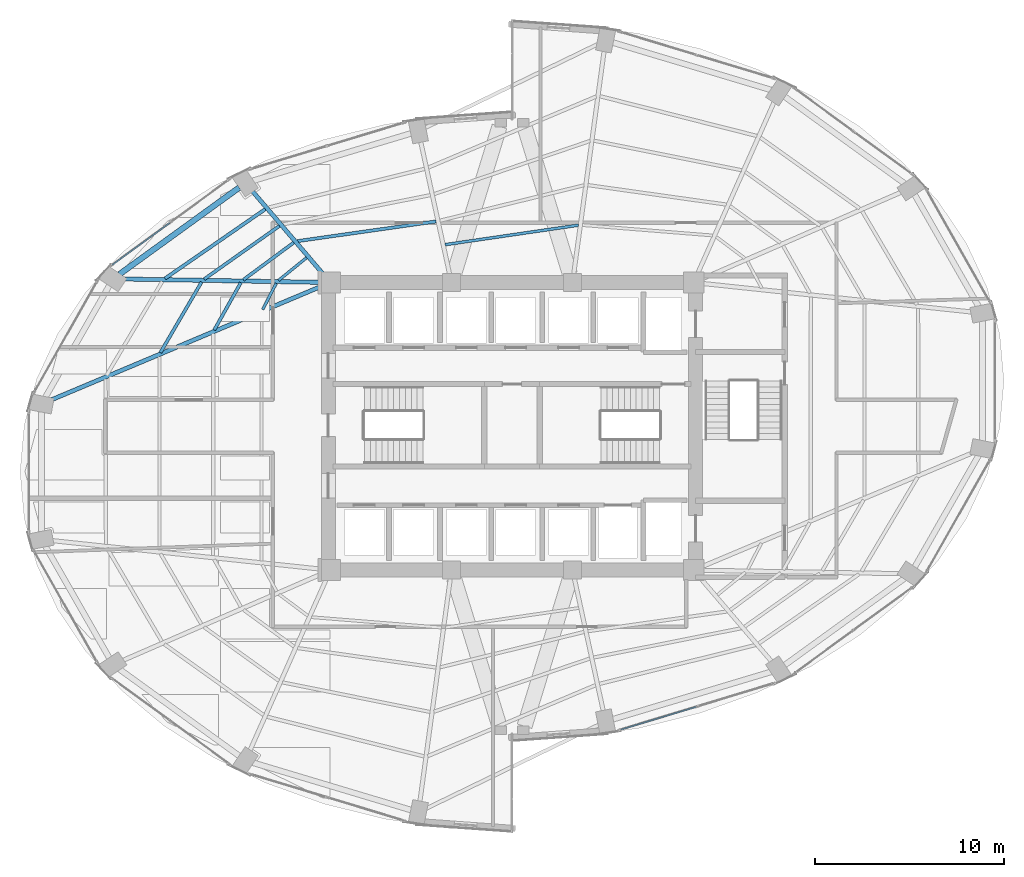
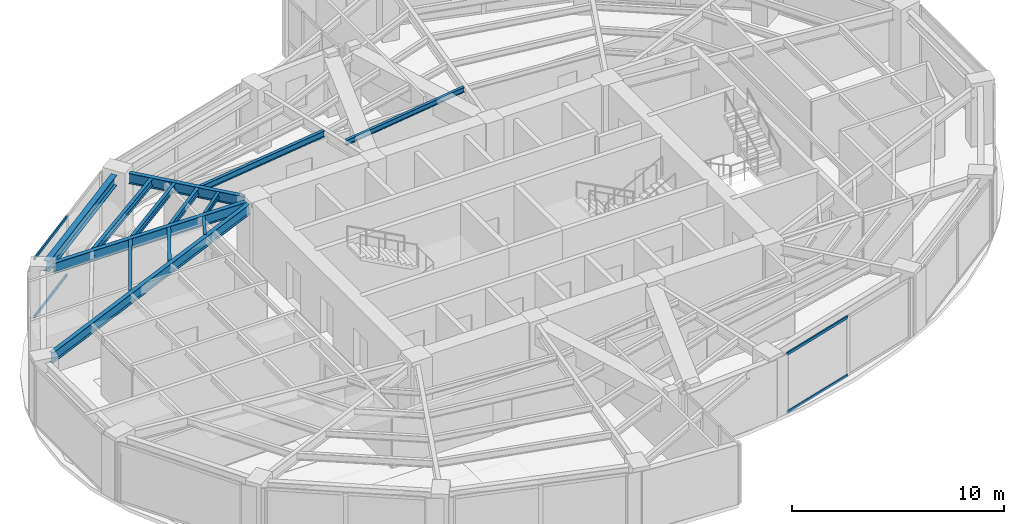
# One storey, part 9 of 24: 13 beams, 4 members, 2 elements without a shape of their own.
"""IFC4 building model written with IfcOpenShell, lengths in metres."""

import ifcopenshell
import ifcopenshell.guid

model = None  # the IFC model being written
_history = None  # IfcOwnerHistory: only IFC2X3 demands one
_inside = {}  # id of a spatial element -> (the spatial element, [elements in it])
_under = {}  # id of a project, library or spatial element -> (it, [spatial elements below it])
_declared = {}  # id of a project -> (the project, [libraries it declares])
_typed = {}  # id of a type object -> (the type object, [elements of that type])
_made_of = {}  # id of a material, layer set ... -> (it, [elements and type objects made of it])


def new_model(schema):
    """Start an empty IFC model of exactly this schema.

    Asked for "IFC4X3", IfcOpenShell would pick the latest addendum, in which some entities
    have other attributes; the version numbers below select the first issue.
    IFC2X3 requires an IfcOwnerHistory on every rooted entity: one is made here for all.
    """
    global model, _history
    if schema == "IFC4X3":
        model = ifcopenshell.file(schema_version=(4, 3, 0, 0))
    else:
        model = ifcopenshell.file(schema=schema)
    _inside.clear()
    _under.clear()
    _declared.clear()
    _typed.clear()
    _made_of.clear()
    _history = None
    if model.schema == "IFC2X3":
        org = make("IfcOrganization", Name="unknown")
        user = make(
            "IfcPersonAndOrganization",
            ThePerson=make("IfcPerson", FamilyName="unknown"),
            TheOrganization=org,
        )
        app = make(
            "IfcApplication",
            ApplicationDeveloper=org,
            Version="unknown",
            ApplicationFullName="unknown",
            ApplicationIdentifier="unknown",
        )
        _history = make(
            "IfcOwnerHistory",
            OwningUser=user,
            OwningApplication=app,
            ChangeAction="ADDED",
            CreationDate=0,
        )
    return model


def make(cls, **values):
    """One entity of the class cls with the attributes given. An attribute that is None is left unset."""
    return model.create_entity(
        cls, **{name: value for name, value in values.items() if value is not None}
    )


def rooted(cls, **values):
    """An entity with a GlobalId (a new one), such as an element, a storey or a relation."""
    return make(cls, GlobalId=ifcopenshell.guid.new(), OwnerHistory=_history, **values)


def si_unit(unit_type, name, prefix=None):
    """IfcSIUnit, for example si_unit("LENGTHUNIT", "METRE", prefix="MILLI")."""
    return make("IfcSIUnit", UnitType=unit_type, Prefix=prefix, Name=name)


def assignment(units):
    """IfcUnitAssignment: the units of a project."""
    return None if units is None else make("IfcUnitAssignment", Units=units)


def point(xyz):
    """IfcCartesianPoint."""
    return None if xyz is None else make("IfcCartesianPoint", Coordinates=xyz)


def direction(xyz):
    """IfcDirection."""
    return None if xyz is None else make("IfcDirection", DirectionRatios=xyz)


def frame(location, z_axis=None, x_axis=None):
    """IfcAxis2Placement3D, a coordinate frame: its origin and axes. An axis left out is left unset."""
    return make(
        "IfcAxis2Placement3D",
        Location=point(location),
        Axis=direction(z_axis),
        RefDirection=direction(x_axis),
    )


def frame_2d(location, x_axis=None):
    """IfcAxis2Placement2D, a coordinate frame in the plane: its origin and x axis."""
    return make(
        "IfcAxis2Placement2D", Location=point(location), RefDirection=direction(x_axis)
    )


def origin():
    """The frame at (0, 0, 0) with its axes left unset."""
    return frame((0.0, 0.0, 0.0))


def origin_2d():
    """The frame at (0, 0) in the plane with its x axis left unset."""
    return frame_2d((0.0, 0.0))


def place(relative_to, where):
    """IfcLocalPlacement: puts the frame where relative to a parent placement (None: the world)."""
    return make(
        "IfcLocalPlacement", PlacementRelTo=relative_to, RelativePlacement=where
    )


def context(
    kind, dimensions, precision=None, world=None, true_north=None, identifier=None
):
    """IfcGeometricRepresentationContext, for example the 3D "Model" context."""
    return make(
        "IfcGeometricRepresentationContext",
        ContextIdentifier=identifier,
        ContextType=kind,
        CoordinateSpaceDimension=dimensions,
        Precision=precision,
        WorldCoordinateSystem=world,
        TrueNorth=true_north,
    )


def subcontext(parent, identifier, kind, view, scale=None):
    """IfcGeometricRepresentationSubContext, for example "Body" below "Model"."""
    return make(
        "IfcGeometricRepresentationSubContext",
        ContextIdentifier=identifier,
        ContextType=kind,
        ParentContext=parent,
        TargetScale=scale,
        TargetView=view,
    )


def project(units=None, contexts=None):
    """IfcProject with its units and contexts."""
    return rooted(
        "IfcProject",
        Name="project",
        RepresentationContexts=contexts,
        UnitsInContext=assignment(units),
    )


def spatial(cls, under=None, at=None, **own):
    """A site, building, storey or space (cls), placed at a placement, below another one or the project."""
    s = rooted(cls, ObjectPlacement=at, **own)
    if under is not None:
        _under.setdefault(under.id(), (under, []))[1].append(s)
    return s


def profile(cls, at=None, kind="AREA", **sizes):
    """A parametric profile (cls). Its sizes go by their IFC names, for example OverallWidth=200.0."""
    return make(cls, ProfileType=kind, Position=at, **sizes)


def hollow_rectangle(**sizes):
    """IfcRectangleHollowProfileDef."""
    return profile("IfcRectangleHollowProfileDef", **sizes)


def i_section(**sizes):
    """IfcIShapeProfileDef."""
    return profile("IfcIShapeProfileDef", **sizes)


def extrude(swept, where, along, depth):
    """IfcExtrudedAreaSolid: the profile swept, set in the frame where, extruded along a direction by depth."""
    return make(
        "IfcExtrudedAreaSolid",
        SweptArea=swept,
        Position=where,
        ExtrudedDirection=direction(along),
        Depth=depth,
    )


def shape(context_of_items, identifier, shape_type, items):
    """IfcShapeRepresentation: the items that make up one representation, for example the "Body"."""
    return make(
        "IfcShapeRepresentation",
        ContextOfItems=context_of_items,
        RepresentationIdentifier=identifier,
        RepresentationType=shape_type,
        Items=items,
    )


def material(Name=None, Category=None):
    """IfcMaterial."""
    return make("IfcMaterial", Name=Name, Category=Category)


def layer(
    of_material, thickness, ventilated=None, Name=None, Category=None, Priority=None
):
    """IfcMaterialLayer: one layer of a wall or slab, of a material (None: an air gap)."""
    return make(
        "IfcMaterialLayer",
        Material=of_material,
        LayerThickness=thickness,
        IsVentilated=ventilated,
        Name=Name,
        Category=Category,
        Priority=Priority,
    )


def layer_set(layers, Name=None):
    """IfcMaterialLayerSet."""
    return make("IfcMaterialLayerSet", MaterialLayers=layers, LayerSetName=Name)


def material_profile(
    of_material, cross_section, Name=None, Category=None, Priority=None
):
    """IfcMaterialProfile: a cross section and its material."""
    return make(
        "IfcMaterialProfile",
        Name=Name,
        Material=of_material,
        Profile=cross_section,
        Priority=Priority,
        Category=Category,
    )


def profile_set(profiles, Name=None, composite=None):
    """IfcMaterialProfileSet."""
    return make(
        "IfcMaterialProfileSet",
        Name=Name,
        MaterialProfiles=profiles,
        CompositeProfile=composite,
    )


def made_of(thing, what):
    """Note that an element or type object is made of a material, layer set ...; save() writes the relation."""
    if what is not None:
        _made_of.setdefault(what.id(), (what, []))[1].append(thing)
    return thing


def type_object(cls, material=None, **own):
    """A type object (cls), such as IfcWallType, which elements share."""
    return made_of(rooted(cls, **own), material)


def element(
    cls,
    number,
    at=None,
    inside=None,
    cuts=None,
    type_object=None,
    material=None,
    context=None,
    identifier="Body",
    shape_type=None,
    held_by="IfcProductDefinitionShape",
    body=None,
    shapes=None,
    **own,
):
    """One element of the class cls, such as IfcWall. Its Tag is "e" and its number.

    at: its placement. inside: the storey or other place that contains it. cuts: it is an
    opening in that element (IfcRelVoidsElement). A single representation is given by context,
    identifier, shape_type and body (its items); several are given by shapes. held_by: the class
    of the entity that holds the representations. save() writes the other relations.
    """
    e = rooted(cls, Tag="e%d" % number, ObjectPlacement=at, **own)
    if body is not None:
        shapes = [shape(context, identifier, shape_type, body)]
    if shapes is not None:
        e.Representation = make(held_by, Representations=shapes)
    if inside is not None:
        _inside.setdefault(inside.id(), (inside, []))[1].append(e)
    if cuts is not None:
        rooted(
            "IfcRelVoidsElement", RelatingBuildingElement=cuts, RelatedOpeningElement=e
        )
    if type_object is not None:
        _typed.setdefault(type_object.id(), (type_object, []))[1].append(e)
    return made_of(e, material)


def aggregate(whole, parts):
    """IfcRelAggregates: a whole, such as a stair, and the parts it consists of."""
    return rooted("IfcRelAggregates", RelatingObject=whole, RelatedObjects=parts)


def save(model, path):
    """Write the relations noted so far, then the file.

    IfcRelAggregates (storeys below a building ...), IfcRelContainedInSpatialStructure (elements
    in a storey), IfcRelDefinesByType, IfcRelAssociatesMaterial and IfcRelDeclares: one each for
    every whole, place, type object, material and project.
    """
    for whole, parts in _under.values():
        aggregate(whole, parts)
    for where, things in _inside.values():
        rooted(
            "IfcRelContainedInSpatialStructure",
            RelatedElements=things,
            RelatingStructure=where,
        )
    for kind, things in _typed.values():
        rooted("IfcRelDefinesByType", RelatedObjects=things, RelatingType=kind)
    for what, things in _made_of.values():
        rooted("IfcRelAssociatesMaterial", RelatedObjects=things, RelatingMaterial=what)
    for by, libraries in _declared.values():
        rooted("IfcRelDeclares", RelatingContext=by, RelatedDefinitions=libraries)
    model.write(path)


model = new_model("IFC4")

# Units and contexts
model_context = context("Model", 3, precision=1e-05, world=origin(), true_north=direction((0.0, 1.0)))
body_context = subcontext(model_context, "Body", "Model", "MODEL_VIEW")
ifc_project = project(units=[si_unit("LENGTHUNIT", "METRE"), si_unit("AREAUNIT", "SQUARE_METRE"), si_unit("VOLUMEUNIT", "CUBIC_METRE"), si_unit("PLANEANGLEUNIT", "RADIAN"), si_unit("MASSUNIT", "GRAM", prefix="KILO")], contexts=[model_context])

# Site, building, storey
site_placement = place(None, origin())
site = spatial("IfcSite", under=ifc_project, at=site_placement, CompositionType="ELEMENT")
building_placement = place(site_placement, origin())
building = spatial("IfcBuilding", under=site, at=building_placement, Name="Lazwardi Medical Tower", CompositionType="ELEMENT")
storey_placement = place(building_placement, frame((0.0, 0.0, 99.98388671875)))
storey = spatial("IfcBuildingStorey", under=building, at=storey_placement, Name="L25", CompositionType="ELEMENT", Elevation=99.98388671875)

# Beams
ifc_material_1 = material(Name="Steel S355", Category="steel")
ifc_material_profile_1 = material_profile(ifc_material_1, i_section(OverallWidth=0.300048828125, OverallDepth=0.60009765625, WebThickness=0.015380859375, FlangeThickness=0.030029296875, at=origin_2d()), Name="HEB 600")
ifc_profile_set_1 = profile_set([ifc_material_profile_1], Name="Steel S355")
beam_type_1 = type_object("IfcBeamType", Name="BM-RB-Z2", PredefinedType="BEAM", material=ifc_profile_set_1)
beam_1_placement = place(storey_placement, frame((21.584228515625, 40.6171875, 3.128173828125), z_axis=(-0.810041907649, -0.586371987609, 0.0), x_axis=(0.586371987609, -0.810041907649, 0.0)))
element("IfcBeam", 1, at=beam_1_placement, inside=storey, type_object=beam_type_1, Name="Ring beam RB-03 B10 L25", PredefinedType="BEAM", context=body_context, shape_type="SweptSolid", body=[
    extrude(i_section(OverallWidth=0.300048828125, OverallDepth=0.60009765625, WebThickness=0.015380859375, FlangeThickness=0.030029296875, at=origin_2d()), origin(), (0.0, 0.0, 1.0), 7.814208984375),
])
ifc_material_profile_2 = material_profile(ifc_material_1, i_section(OverallWidth=0.219970703125, OverallDepth=0.60009765625, WebThickness=0.011962890625, FlangeThickness=0.01904296875, at=origin_2d()), Name="IPE 600")
ifc_profile_set_2 = profile_set([ifc_material_profile_2], Name="Steel S355")
beam_type_2 = type_object("IfcBeamType", Name="BM-RG-W1", PredefinedType="BEAM", material=ifc_profile_set_2)
beam_2_placement = place(storey_placement, frame((22.292724609375, 40.416259765625, 3.128173828125), z_axis=(0.648870567436, -0.760898801889, 0.0), x_axis=(0.760898801889, 0.648870567436, 0.0)))
element("IfcBeam", 2, at=beam_2_placement, inside=storey, type_object=beam_type_2, Name="Radial girder RG-02 R10 L25", PredefinedType="BEAM", context=body_context, shape_type="SweptSolid", body=[
    extrude(i_section(OverallWidth=0.219970703125, OverallDepth=0.60009765625, WebThickness=0.011962890625, FlangeThickness=0.01904296875, at=origin_2d()), origin(), (0.0, 0.0, 1.0), 5.794677734375),
])
beam_3_placement = place(storey_placement, frame((15.502197265625, 35.784912109375, 3.128173828125), z_axis=(0.99985616395, -0.016960289263, 0.0), x_axis=(0.016960289263, 0.99985616395, 0.0)))
element("IfcBeam", 3, at=beam_3_placement, inside=storey, type_object=beam_type_2, Name="Radial girder RG-02 R11 L25", PredefinedType="BEAM", context=body_context, shape_type="SweptSolid", body=[
    extrude(i_section(OverallWidth=0.219970703125, OverallDepth=0.60009765625, WebThickness=0.011962890625, FlangeThickness=0.01904296875, at=origin_2d()), origin(), (0.0, 0.0, 1.0), 10.3642578125),
])
beam_4_placement = place(storey_placement, frame((11.671630859375, 29.40478515625, 3.128173828125), z_axis=(0.921775176005, 0.38772480563, 0.0), x_axis=(-0.38772480563, 0.921775176005, 0.0)))
element("IfcBeam", 4, at=beam_4_placement, inside=storey, type_object=beam_type_2, Name="Radial girder RG-02 R12 L25", PredefinedType="BEAM", context=body_context, shape_type="SweptSolid", body=[
    extrude(i_section(OverallWidth=0.219970703125, OverallDepth=0.60009765625, WebThickness=0.011962890625, FlangeThickness=0.01904296875, at=origin_2d()), origin(), (0.0, 0.0, 1.0), 15.443359375),
])
ifc_material_profile_3 = material_profile(ifc_material_1, i_section(OverallWidth=0.179931640625, OverallDepth=0.39990234375, WebThickness=0.008544921875, FlangeThickness=0.013427734375, at=origin_2d()), Name="IPE 400")
ifc_profile_set_3 = profile_set([ifc_material_profile_3], Name="Steel S355")
beam_type_3 = type_object("IfcBeamType", Name="BM-SJ-01", PredefinedType="JOIST", material=ifc_profile_set_3)
beam_5_placement = place(storey_placement, frame((22.95849609375, 39.474609375, 3.22802734375), z_axis=(-0.822376339068, -0.568943896128, 0.0), x_axis=(0.568943896128, -0.822376339068, 0.0)))
element("IfcBeam", 5, at=beam_5_placement, inside=storey, type_object=beam_type_3, Name="Secondary joist SJ-01 R1 B10 L25", PredefinedType="JOIST", context=body_context, shape_type="SweptSolid", body=[
    extrude(i_section(OverallWidth=0.179931640625, OverallDepth=0.39990234375, WebThickness=0.008544921875, FlangeThickness=0.013427734375, at=origin_2d()), origin(), (0.0, 0.0, 1.0), 6.44189453125),
])
ifc_material_profile_4 = material_profile(ifc_material_1, i_section(OverallWidth=0.169921875, OverallDepth=0.360107421875, WebThickness=0.008056640625, FlangeThickness=0.0126953125, at=origin_2d()), Name="IPE 360")
ifc_profile_set_4 = profile_set([ifc_material_profile_4], Name="Steel S355")
beam_type_4 = type_object("IfcBeamType", Name="BM-SJ-02", PredefinedType="JOIST", material=ifc_profile_set_4)
beam_6_placement = place(storey_placement, frame((23.7109375, 38.591796875, 3.248046875), z_axis=(-0.816156371539, -0.577831097464, 0.0), x_axis=(0.577831097464, -0.816156371539, 0.0)))
element("IfcBeam", 6, at=beam_6_placement, inside=storey, type_object=beam_type_4, Name="Secondary joist SJ-02 R2 B10 L25", PredefinedType="JOIST", context=body_context, shape_type="SweptSolid", body=[
    extrude(i_section(OverallWidth=0.169921875, OverallDepth=0.360107421875, WebThickness=0.008056640625, FlangeThickness=0.0126953125, at=origin_2d()), origin(), (0.0, 0.0, 1.0), 4.8740234375),
])
beam_7_placement = place(storey_placement, frame((19.594482421875, 35.623779296875, 3.248046875), z_axis=(-0.503544274258, -0.86396942299, 0.0), x_axis=(0.86396942299, -0.503544274258, 0.0)))
element("IfcBeam", 7, at=beam_7_placement, inside=storey, type_object=beam_type_4, Name="Secondary joist SJ-02 R2 B11 L25", PredefinedType="JOIST", context=body_context, shape_type="SweptSolid", body=[
    extrude(i_section(OverallWidth=0.169921875, OverallDepth=0.360107421875, WebThickness=0.008056640625, FlangeThickness=0.0126953125, at=origin_2d()), origin(), (0.0, 0.0, 1.0), 4.321044921875),
])
beam_8_placement = place(storey_placement, frame((31.988525390625, 38.8271484375, 3.248046875), z_axis=(-0.990067108571, -0.140595592128, 0.0), x_axis=(0.140595592128, -0.990067108571, 0.0)))
element("IfcBeam", 8, at=beam_8_placement, inside=storey, type_object=beam_type_4, Name="Secondary joist SJ-02 R3 B09 L25", PredefinedType="JOIST", context=body_context, shape_type="SweptSolid", body=[
    extrude(i_section(OverallWidth=0.169921875, OverallDepth=0.360107421875, WebThickness=0.008056640625, FlangeThickness=0.0126953125, at=origin_2d()), origin(), (0.0, 0.0, 1.0), 7.409423828125),
])
beam_9_placement = place(storey_placement, frame((24.46435546875, 37.708251953125, 3.248046875), z_axis=(-0.804125525058, -0.594459536008, 0.0), x_axis=(0.594459536008, -0.804125525058, 0.0)))
element("IfcBeam", 9, at=beam_9_placement, inside=storey, type_object=beam_type_4, Name="Secondary joist SJ-02 R3 B10 L25", PredefinedType="JOIST", context=body_context, shape_type="SweptSolid", body=[
    extrude(i_section(OverallWidth=0.169921875, OverallDepth=0.360107421875, WebThickness=0.008056640625, FlangeThickness=0.0126953125, at=origin_2d()), origin(), (0.0, 0.0, 1.0), 3.30810546875),
])
beam_10_placement = place(storey_placement, frame((21.66845703125, 35.587890625, 3.248046875), z_axis=(-0.489860824278, -0.871800649711, 0.0), x_axis=(0.871800649711, -0.489860824278, 0.0)))
element("IfcBeam", 10, at=beam_10_placement, inside=storey, type_object=beam_type_4, Name="Secondary joist SJ-02 R3 B11 L25", PredefinedType="JOIST", context=body_context, shape_type="SweptSolid", body=[
    extrude(i_section(OverallWidth=0.169921875, OverallDepth=0.360107421875, WebThickness=0.008056640625, FlangeThickness=0.0126953125, at=origin_2d()), origin(), (0.0, 0.0, 1.0), 2.8662109375),
])
ifc_material_profile_5 = material_profile(ifc_material_1, i_section(OverallWidth=0.14990234375, OverallDepth=0.300048828125, WebThickness=0.007080078125, FlangeThickness=0.0107421875, at=origin_2d()), Name="IPE 300")
ifc_profile_set_5 = profile_set([ifc_material_profile_5], Name="Steel S355")
beam_type_5 = type_object("IfcBeamType", Name="BM-SJ-03", PredefinedType="JOIST", material=ifc_profile_set_5)
beam_11_placement = place(storey_placement, frame((39.511474609375, 38.62939453125, 3.278076171875), z_axis=(-0.98949221477, -0.144586157392, 0.0), x_axis=(0.144586157392, -0.98949221477, 0.0)))
element("IfcBeam", 11, at=beam_11_placement, inside=storey, type_object=beam_type_5, Name="Secondary joist SJ-03 R4 B08 L25", PredefinedType="JOIST", context=body_context, shape_type="SweptSolid", body=[
    extrude(i_section(OverallWidth=0.14990234375, OverallDepth=0.300048828125, WebThickness=0.007080078125, FlangeThickness=0.0107421875, at=origin_2d()), origin(), (0.0, 0.0, 1.0), 7.115478515625),
])
beam_12_placement = place(storey_placement, frame((25.14404296875, 36.910888671875, 3.278076171875), z_axis=(-0.77695773322, -0.629552762515, 0.0), x_axis=(0.629552762515, -0.77695773322, 0.0)))
element("IfcBeam", 12, at=beam_12_placement, inside=storey, type_object=beam_type_5, Name="Secondary joist SJ-03 R4 B10 L25", PredefinedType="JOIST", context=body_context, shape_type="SweptSolid", body=[
    extrude(i_section(OverallWidth=0.14990234375, OverallDepth=0.300048828125, WebThickness=0.007080078125, FlangeThickness=0.0107421875, at=origin_2d()), origin(), (0.0, 0.0, 1.0), 1.9013671875),
])
beam_13_placement = place(storey_placement, frame((23.537109375, 35.554443359375, 3.278076171875), z_axis=(-0.457956589674, -0.888974556427, 0.0), x_axis=(0.888974556427, -0.457956589674, 0.0)))
element("IfcBeam", 13, at=beam_13_placement, inside=storey, type_object=beam_type_5, Name="Secondary joist SJ-03 R4 B11 L25", PredefinedType="JOIST", context=body_context, shape_type="SweptSolid", body=[
    extrude(i_section(OverallWidth=0.14990234375, OverallDepth=0.300048828125, WebThickness=0.007080078125, FlangeThickness=0.0107421875, at=origin_2d()), origin(), (0.0, 0.0, 1.0), 1.558837890625),
])

# Curtain wall, members
ifc_material_2 = material(Name="Anodised bronze aluminium and solar control glazing", Category="aluminium")
ifc_layer = layer(ifc_material_2, 0.195068359375)
ifc_layer_set = layer_set([ifc_layer], Name="Anodised bronze aluminium and solar control glazing")
curtain_wall_type = type_object("IfcCurtainWallType", Name="CW-SYS-03", PredefinedType="NOTDEFINED", material=ifc_layer_set)
curtain_wall_1_placement = place(storey_placement, origin())
curtain_wall_1 = element("IfcCurtainWall", 14, at=curtain_wall_1_placement, inside=storey, type_object=curtain_wall_type, Name="L25 Unitised bronze curtain wall CW-03", PredefinedType="NOTDEFINED")
ifc_material_3 = material(Name="Anodised bronze aluminium", Category="aluminium")
ifc_material_profile_6 = material_profile(ifc_material_3, hollow_rectangle(XDim=0.074951171875, YDim=0.159912109375, WallThickness=0.00390625, at=origin_2d()), Name="ALU-TRANSOM 160x75x4")
ifc_profile_set_6 = profile_set([ifc_material_profile_6], Name="Anodised bronze aluminium")
member_type = type_object("IfcMemberType", Name="CW-TRN-01", PredefinedType="USERDEFINED", material=ifc_profile_set_6)
member_1_placement = place(storey_placement, frame((41.74609375, 11.970703125, 0.03759765625), z_axis=(0.957220865985, 0.289358279168, 0.0), x_axis=(-0.289358279168, 0.957220865985, 0.0)))
member_1 = element("IfcMember", 15, at=member_1_placement, type_object=member_type, Name="CW-03 transom 1.1", ObjectType="TRANSOM", PredefinedType="USERDEFINED", context=body_context, shape_type="SweptSolid", body=[
    extrude(hollow_rectangle(XDim=0.074951171875, YDim=0.159912109375, WallThickness=0.00390625, at=origin_2d()), origin(), (0.0, 0.0, 1.0), 4.16552734375),
])
member_2_placement = place(storey_placement, frame((41.74609375, 11.970703125, 3.390625), z_axis=(0.957220865985, 0.289358279168, 0.0), x_axis=(-0.289358279168, 0.957220865985, 0.0)))
member_2 = element("IfcMember", 16, at=member_2_placement, type_object=member_type, Name="CW-03 transom 1.2", ObjectType="TRANSOM", PredefinedType="USERDEFINED", context=body_context, shape_type="SweptSolid", body=[
    extrude(hollow_rectangle(XDim=0.074951171875, YDim=0.159912109375, WallThickness=0.00390625, at=origin_2d()), origin(), (0.0, 0.0, 1.0), 4.16552734375),
])
aggregate(curtain_wall_1, [member_1, member_2])

curtain_wall_2_placement = place(storey_placement, origin())
curtain_wall_2 = element("IfcCurtainWall", 17, at=curtain_wall_2_placement, inside=storey, type_object=curtain_wall_type, Name="L25 Unitised bronze curtain wall CW-03", PredefinedType="NOTDEFINED")
member_3_placement = place(storey_placement, frame((17.918701171875, 38.752197265625, 0.03759765625), z_axis=(-0.807731734271, -0.589550206049, 0.0), x_axis=(0.589550206049, -0.807731734271, 0.0)))
member_3 = element("IfcMember", 18, at=member_3_placement, type_object=member_type, Name="CW-03 transom 2.1", ObjectType="TRANSOM", PredefinedType="USERDEFINED", context=body_context, shape_type="SweptSolid", body=[
    extrude(hollow_rectangle(XDim=0.074951171875, YDim=0.159912109375, WallThickness=0.00390625, at=origin_2d()), origin(), (0.0, 0.0, 1.0), 3.767578125),
])
member_4_placement = place(storey_placement, frame((17.918701171875, 38.752197265625, 3.390625), z_axis=(-0.807731734271, -0.589550206049, 0.0), x_axis=(0.589550206049, -0.807731734271, 0.0)))
member_4 = element("IfcMember", 19, at=member_4_placement, type_object=member_type, Name="CW-03 transom 2.2", ObjectType="TRANSOM", PredefinedType="USERDEFINED", context=body_context, shape_type="SweptSolid", body=[
    extrude(hollow_rectangle(XDim=0.074951171875, YDim=0.159912109375, WallThickness=0.00390625, at=origin_2d()), origin(), (0.0, 0.0, 1.0), 3.767578125),
])
aggregate(curtain_wall_2, [member_3, member_4])

save(model, "model.ifc")
